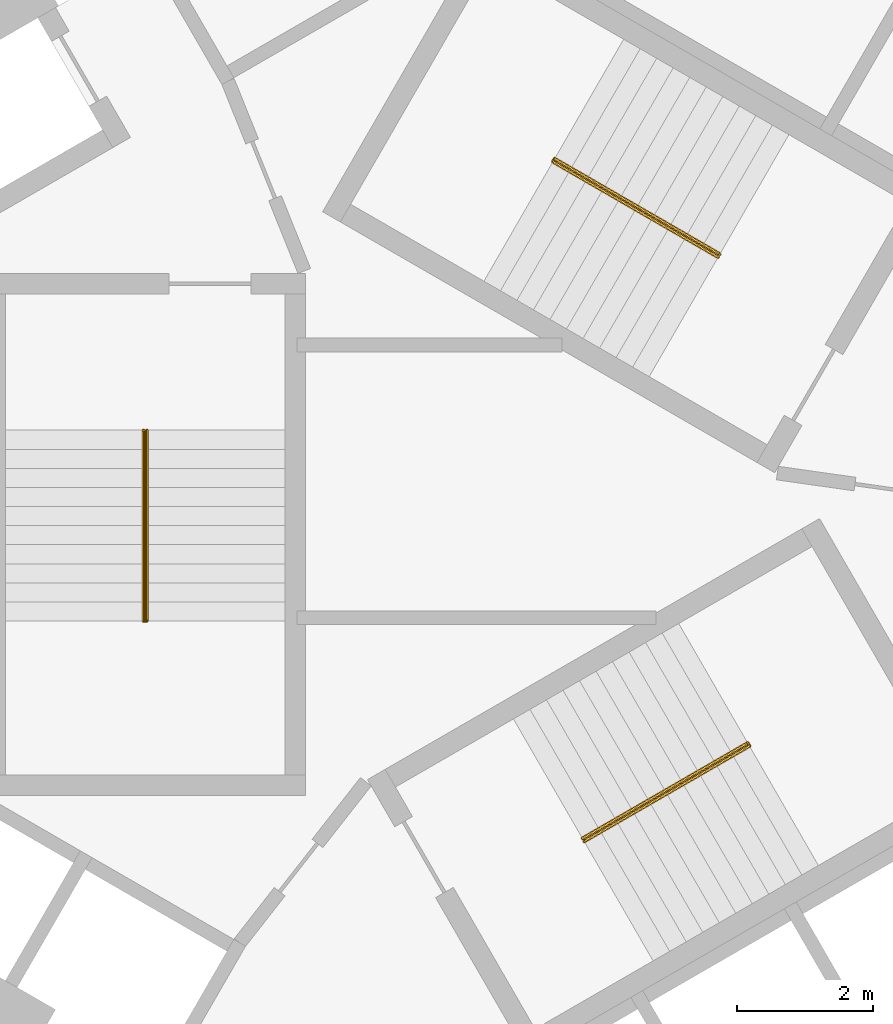
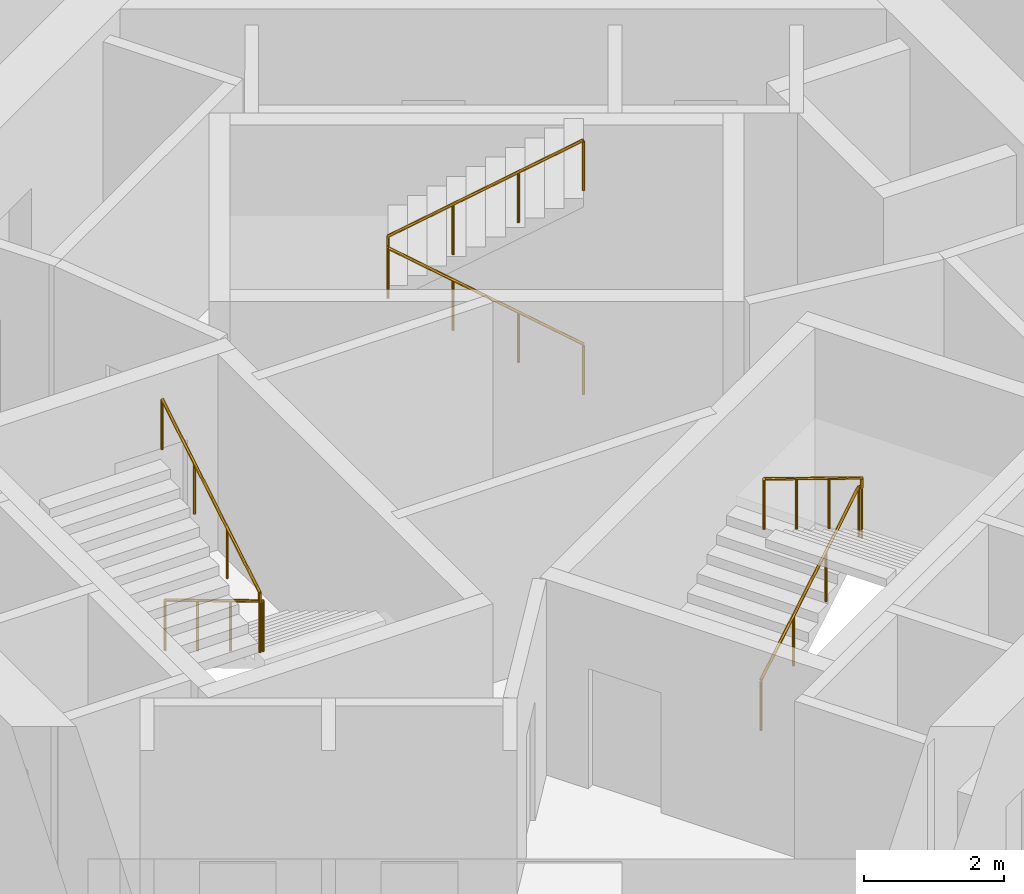
# One storey, part 11 of 11: 3 railings.
"""IFC4 building model written with IfcOpenShell, lengths in metres."""

from ifc_helpers import new_model, si_unit, direction, frame, origin, origin_2d, place, context, subcontext, project, spatial, circle, extrude, material, type_object, element, save


model = new_model("IFC4")

# Units and contexts
model_context = context("Model", 3, precision=1e-05, world=origin(), true_north=direction((0.0, 1.0)))
body_context = subcontext(model_context, "Body", "Model", "MODEL_VIEW")
ifc_project = project(units=[si_unit("LENGTHUNIT", "METRE"), si_unit("AREAUNIT", "SQUARE_METRE"), si_unit("VOLUMEUNIT", "CUBIC_METRE"), si_unit("PLANEANGLEUNIT", "RADIAN"), si_unit("MASSUNIT", "GRAM", prefix="KILO")], contexts=[model_context])

# Site, building, storey
site_placement = place(None, origin())
site = spatial("IfcSite", under=ifc_project, at=site_placement, CompositionType="ELEMENT")
building_placement = place(site_placement, origin())
building = spatial("IfcBuilding", under=site, at=building_placement, Name="Vanh Sen Convention Tower", CompositionType="ELEMENT")
storey_placement = place(building_placement, frame((0.0, 0.0, 236.5)))
storey = spatial("IfcBuildingStorey", under=building, at=storey_placement, Name="L58", CompositionType="ELEMENT", Elevation=236.5)

# Railings
ifc_material = material(Name="Stainless steel handrail", Category="steel")
railing_type = type_object("IfcRailingType", Name="Stair handrail 900", PredefinedType="HANDRAIL", material=ifc_material)
railing_1_placement = place(storey_placement, frame((3.45849609375, 3.690185546875, 0.168212890625)))
element("IfcRailing", 1, at=railing_1_placement, inside=storey, type_object=railing_type, Name="Stair handrail ST1 L58", PredefinedType="HANDRAIL", context=body_context, shape_type="SweptSolid", body=[
    extrude(circle(Radius=0.02392578125, at=origin_2d()), frame((0.0, 0.0, 0.8759765625), z_axis=(-0.742390482028, 0.42860119049, 0.514934356695), x_axis=(-0.49998411664, -0.866034573852, 0.0)), (0.0, 0.0, 1.0), 3.26611328125),
    extrude(circle(Radius=0.02392578125, at=origin_2d()), frame((-2.4248046875, 1.39990234375, 2.5576171875), z_axis=(0.497188445666, 0.867642581652, 0.0), x_axis=(-0.867642581652, 0.497188445666, 0.0)), (0.0, 0.0, 1.0), 0.050048828125),
    extrude(circle(Radius=0.02392578125, at=origin_2d()), frame((-2.39990234375, 1.443359375, 2.5576171875), z_axis=(0.0, 0.0, 1.0), x_axis=(1.0, 0.0, 0.0)), (0.0, 0.0, 1.0), 0.168212890625),
    extrude(circle(Radius=0.02392578125, at=origin_2d()), frame((-2.39990234375, 1.443359375, 2.72607421875), z_axis=(0.742395268701, -0.428678701772, 0.514862928999), x_axis=(0.500049511043, 0.865996816683, 0.0)), (0.0, 0.0, 1.0), 3.26611328125),
    extrude(circle(Radius=0.02099609375, at=origin_2d()), origin(), (0.0, 0.0, 1.0), 0.851806640625),
    extrude(circle(Radius=0.02099609375, at=origin_2d()), frame((-0.808349609375, 0.466552734375, 0.560546875)), (0.0, 0.0, 1.0), 0.851806640625),
    extrude(circle(Radius=0.02099609375, at=origin_2d()), frame((-1.616455078125, 0.933349609375, 1.121337890625)), (0.0, 0.0, 1.0), 0.851806640625),
    extrude(circle(Radius=0.02099609375, at=origin_2d()), frame((-2.4248046875, 1.39990234375, 1.681884765625)), (0.0, 0.0, 1.0), 0.851806640625),
    extrude(circle(Radius=0.02099609375, at=origin_2d()), frame((-2.39990234375, 1.443359375, 1.681884765625)), (0.0, 0.0, 1.0), 0.851806640625),
    extrude(circle(Radius=0.02099609375, at=origin_2d()), frame((-2.39990234375, 1.443359375, 1.85009765625)), (0.0, 0.0, 1.0), 0.851806640625),
    extrude(circle(Radius=0.02099609375, at=origin_2d()), frame((-1.591552734375, 0.9765625, 2.41064453125)), (0.0, 0.0, 1.0), 0.851806640625),
    extrude(circle(Radius=0.02099609375, at=origin_2d()), frame((-0.783447265625, 0.510009765625, 2.97119140625)), (0.0, 0.0, 1.0), 0.851806640625),
    extrude(circle(Radius=0.02099609375, at=origin_2d()), frame((0.02490234375, 0.043212890625, 3.53173828125)), (0.0, 0.0, 1.0), 0.851806640625),
])
railing_2_placement = place(storey_placement, frame((-4.925048828125, 1.14990234375, 0.168212890625)))
element("IfcRailing", 2, at=railing_2_placement, inside=storey, type_object=railing_type, Name="Stair handrail ST2 L58", PredefinedType="HANDRAIL", context=body_context, shape_type="SweptSolid", body=[
    extrude(circle(Radius=0.02392578125, at=origin_2d()), frame((0.0, 0.0, 0.8759765625), z_axis=(0.0, -0.857222391501, 0.514946377315), x_axis=(1.0, 0.0, 0.0)), (0.0, 0.0, 1.0), 3.26611328125),
    extrude(circle(Radius=0.02392578125, at=origin_2d()), frame((0.0, -2.7998046875, 2.5576171875), z_axis=(-1.0, 0.0, 0.0), x_axis=(0.0, -1.0, 0.0)), (0.0, 0.0, 1.0), 0.050048828125),
    extrude(circle(Radius=0.02392578125, at=origin_2d()), frame((-0.050048828125, -2.7998046875, 2.5576171875), z_axis=(0.0, 0.0, 1.0), x_axis=(1.0, 0.0, 0.0)), (0.0, 0.0, 1.0), 0.168212890625),
    extrude(circle(Radius=0.02392578125, at=origin_2d()), frame((-0.050048828125, -2.7998046875, 2.72607421875), z_axis=(0.0, 0.857255387014, 0.514891446264), x_axis=(-1.0, 0.0, 0.0)), (0.0, 0.0, 1.0), 3.26611328125),
    extrude(circle(Radius=0.02099609375, at=origin_2d()), origin(), (0.0, 0.0, 1.0), 0.851806640625),
    extrude(circle(Radius=0.02099609375, at=origin_2d()), frame((0.0, -0.933349609375, 0.560546875)), (0.0, 0.0, 1.0), 0.851806640625),
    extrude(circle(Radius=0.02099609375, at=origin_2d()), frame((0.0, -1.866455078125, 1.121337890625)), (0.0, 0.0, 1.0), 0.851806640625),
    extrude(circle(Radius=0.02099609375, at=origin_2d()), frame((0.0, -2.7998046875, 1.681884765625)), (0.0, 0.0, 1.0), 0.851806640625),
    extrude(circle(Radius=0.02099609375, at=origin_2d()), frame((-0.050048828125, -2.7998046875, 1.681884765625)), (0.0, 0.0, 1.0), 0.851806640625),
    extrude(circle(Radius=0.02099609375, at=origin_2d()), frame((-0.050048828125, -2.7998046875, 1.85009765625)), (0.0, 0.0, 1.0), 0.851806640625),
    extrude(circle(Radius=0.02099609375, at=origin_2d()), frame((-0.050048828125, -1.866455078125, 2.41064453125)), (0.0, 0.0, 1.0), 0.851806640625),
    extrude(circle(Radius=0.02099609375, at=origin_2d()), frame((-0.050048828125, -0.933349609375, 2.97119140625)), (0.0, 0.0, 1.0), 0.851806640625),
    extrude(circle(Radius=0.02099609375, at=origin_2d()), frame((-0.050048828125, 0.0, 3.53173828125)), (0.0, 0.0, 1.0), 0.851806640625),
])
railing_3_placement = place(storey_placement, frame((1.466552734375, -4.840087890625, 0.168212890625)))
element("IfcRailing", 3, at=railing_3_placement, inside=storey, type_object=railing_type, Name="Stair handrail ST3 L58", PredefinedType="HANDRAIL", context=body_context, shape_type="SweptSolid", body=[
    extrude(circle(Radius=0.02392578125, at=origin_2d()), frame((0.0, 0.0, 0.8759765625), z_axis=(0.742390482028, 0.42860119049, 0.514934356695), x_axis=(-0.49998411664, 0.866034573852, 0.0)), (0.0, 0.0, 1.0), 3.26611328125),
    extrude(circle(Radius=0.02392578125, at=origin_2d()), frame((2.4248046875, 1.39990234375, 2.5576171875), z_axis=(0.502959906984, -0.86430974307, 0.0), x_axis=(0.86430974307, 0.502959906984, 0.0)), (0.0, 0.0, 1.0), 0.050048828125),
    extrude(circle(Radius=0.02392578125, at=origin_2d()), frame((2.449951171875, 1.356689453125, 2.5576171875), z_axis=(0.0, 0.0, 1.0), x_axis=(1.0, 0.0, 0.0)), (0.0, 0.0, 1.0), 0.168212890625),
    extrude(circle(Radius=0.02392578125, at=origin_2d()), frame((2.449951171875, 1.356689453125, 2.72607421875), z_axis=(-0.742395268701, -0.428678701772, 0.514862928999), x_axis=(0.500049511043, -0.865996816683, 0.0)), (0.0, 0.0, 1.0), 3.26611328125),
    extrude(circle(Radius=0.02099609375, at=origin_2d()), origin(), (0.0, 0.0, 1.0), 0.851806640625),
    extrude(circle(Radius=0.02099609375, at=origin_2d()), frame((0.808349609375, 0.466552734375, 0.560546875)), (0.0, 0.0, 1.0), 0.851806640625),
    extrude(circle(Radius=0.02099609375, at=origin_2d()), frame((1.616455078125, 0.933349609375, 1.121337890625)), (0.0, 0.0, 1.0), 0.851806640625),
    extrude(circle(Radius=0.02099609375, at=origin_2d()), frame((2.4248046875, 1.39990234375, 1.681884765625)), (0.0, 0.0, 1.0), 0.851806640625),
    extrude(circle(Radius=0.02099609375, at=origin_2d()), frame((2.449951171875, 1.356689453125, 1.681884765625)), (0.0, 0.0, 1.0), 0.851806640625),
    extrude(circle(Radius=0.02099609375, at=origin_2d()), frame((2.449951171875, 1.356689453125, 1.85009765625)), (0.0, 0.0, 1.0), 0.851806640625),
    extrude(circle(Radius=0.02099609375, at=origin_2d()), frame((1.6416015625, 0.889892578125, 2.41064453125)), (0.0, 0.0, 1.0), 0.851806640625),
    extrude(circle(Radius=0.02099609375, at=origin_2d()), frame((0.83349609375, 0.42333984375, 2.97119140625)), (0.0, 0.0, 1.0), 0.851806640625),
    extrude(circle(Radius=0.02099609375, at=origin_2d()), frame((0.025146484375, -0.04345703125, 3.53173828125)), (0.0, 0.0, 1.0), 0.851806640625),
])

save(model, "model.ifc")
